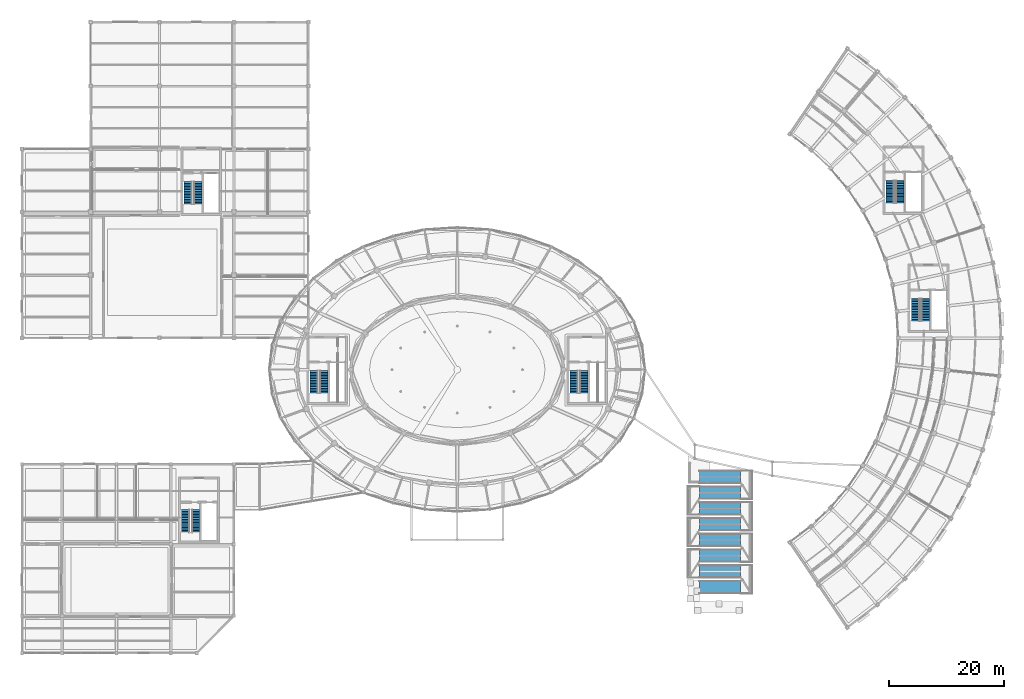
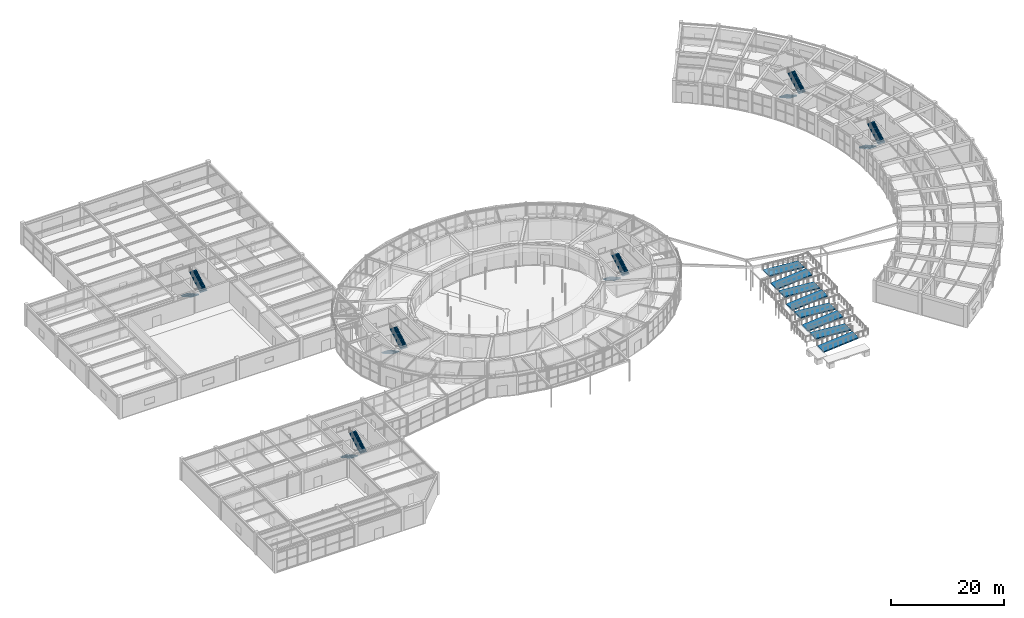
# One storey, part 96 of 108: 12 stair flights, 8 ramp flights, 7 elements without a shape of their own.
"""IFC4 building model written with IfcOpenShell, lengths in metres."""

from ifc_helpers import new_model, si_unit, direction, frame, origin, place, context, subcontext, project, spatial, polyline, outline, extrude, material, layer, layer_set, type_object, element, aggregate, save


model = new_model("IFC4")

# Units and contexts
model_context = context("Model", 3, precision=1e-05, world=origin(), true_north=direction((0.0, 1.0)))
body_context = subcontext(model_context, "Body", "Model", "MODEL_VIEW")
ifc_project = project(units=[si_unit("LENGTHUNIT", "METRE"), si_unit("AREAUNIT", "SQUARE_METRE"), si_unit("VOLUMEUNIT", "CUBIC_METRE"), si_unit("PLANEANGLEUNIT", "RADIAN"), si_unit("MASSUNIT", "GRAM", prefix="KILO")], contexts=[model_context])

# Site, building, storey
site_placement = place(None, origin())
site = spatial("IfcSite", under=ifc_project, at=site_placement, CompositionType="ELEMENT")
building_placement = place(site_placement, origin())
building = spatial("IfcBuilding", under=site, at=building_placement, Name="Tarnveldt Headland Concert Hall", CompositionType="ELEMENT")
storey_placement = place(building_placement, origin())
storey = spatial("IfcBuildingStorey", under=building, at=storey_placement, Name="L00", CompositionType="ELEMENT", Elevation=0.0)

# Stair, stair flights
ifc_material = material(Name="Concrete C40/50", Category="concrete")
stair_type_1 = type_object("IfcStairType", Name="ST-C5-480", PredefinedType="HALF_TURN_STAIR", material=ifc_material)
stair_1_placement = place(storey_placement, origin())
stair_1 = element("IfcStair", 1, at=stair_1_placement, inside=storey, type_object=stair_type_1, Name="Exit stair STR-C5-L00", PredefinedType="HALF_TURN_STAIR")
stair_flight_type_1 = type_object("IfcStairFlightType", Name="SF-134x160", PredefinedType="STRAIGHT", material=ifc_material)
stair_flight_1_placement = place(storey_placement, frame((36.06005859375, 30.0400390625, 0.0), z_axis=(0.0, 0.0, 1.0), x_axis=(0.0, -1.0, 0.0)))
stair_flight_1 = element("IfcStairFlight", 2, at=stair_flight_1_placement, type_object=stair_flight_type_1, Name="Stair flight STR-C5-L00-F1", NumberOfRisers=15, NumberOfTreads=14, PredefinedType="STRAIGHT", RiserHeight=0.16, TreadLength=0.28, context=body_context, shape_type="SweptSolid", body=[
    extrude(outline(polyline([(0.0, 0.0), (0.0, 0.159912109375), (0.280029296875, 0.159912109375), (0.280029296875, 0.320068359375), (0.56005859375, 0.320068359375), (0.56005859375, 0.47998046875), (0.840087890625, 0.47998046875), (0.840087890625, 0.639892578125), (1.1201171875, 0.639892578125), (1.1201171875, 0.800048828125), (1.39990234375, 0.800048828125), (1.39990234375, 0.9599609375), (1.679931640625, 0.9599609375), (1.679931640625, 1.1201171875), (1.9599609375, 1.1201171875), (1.9599609375, 1.280029296875), (2.239990234375, 1.280029296875), (2.239990234375, 1.43994140625), (2.52001953125, 1.43994140625), (2.52001953125, 1.60009765625), (2.800048828125, 1.60009765625), (2.800048828125, 1.760009765625), (3.080078125, 1.760009765625), (3.080078125, 1.919921875), (3.360107421875, 1.919921875), (3.360107421875, 2.080078125), (3.639892578125, 2.080078125), (3.639892578125, 2.239990234375), (3.919921875, 2.239990234375), (3.919921875, 2.39990234375), (3.919921875, 2.055908203125), (0.322265625, 0.0), (0.0, 0.0)])), frame((0.0, 0.669921875, 0.0), z_axis=(0.0, -1.0, 0.0), x_axis=(1.0, 0.0, 0.0)), (0.0, 0.0, 1.0), 1.340087890625),
])
stair_flight_2_placement = place(storey_placement, frame((37.860107421875, 26.1201171875, 2.39990234375), z_axis=(0.0, 0.0, 1.0), x_axis=(0.0, 1.0, 0.0)))
stair_flight_2 = element("IfcStairFlight", 3, at=stair_flight_2_placement, type_object=stair_flight_type_1, Name="Stair flight STR-C5-L00-F2", NumberOfRisers=15, NumberOfTreads=14, PredefinedType="STRAIGHT", RiserHeight=0.16, TreadLength=0.28, context=body_context, shape_type="SweptSolid", body=[
    extrude(outline(polyline([(0.0, 0.0), (0.0, 0.159912109375), (0.280029296875, 0.159912109375), (0.280029296875, 0.320068359375), (0.56005859375, 0.320068359375), (0.56005859375, 0.47998046875), (0.840087890625, 0.47998046875), (0.840087890625, 0.639892578125), (1.1201171875, 0.639892578125), (1.1201171875, 0.800048828125), (1.39990234375, 0.800048828125), (1.39990234375, 0.9599609375), (1.679931640625, 0.9599609375), (1.679931640625, 1.1201171875), (1.9599609375, 1.1201171875), (1.9599609375, 1.280029296875), (2.239990234375, 1.280029296875), (2.239990234375, 1.43994140625), (2.52001953125, 1.43994140625), (2.52001953125, 1.60009765625), (2.800048828125, 1.60009765625), (2.800048828125, 1.760009765625), (3.080078125, 1.760009765625), (3.080078125, 1.919921875), (3.360107421875, 1.919921875), (3.360107421875, 2.080078125), (3.639892578125, 2.080078125), (3.639892578125, 2.239990234375), (3.919921875, 2.239990234375), (3.919921875, 2.39990234375), (3.919921875, 2.055908203125), (0.322265625, 0.0), (0.0, 0.0)])), frame((0.0, 0.669921875, 0.0), z_axis=(0.0, -1.0, 0.0), x_axis=(1.0, 0.0, 0.0)), (0.0, 0.0, 1.0), 1.340087890625),
])
aggregate(stair_1, [stair_flight_1, stair_flight_2])

stair_type_2 = type_object("IfcStairType", Name="ST-CORE480", PredefinedType="HALF_TURN_STAIR", material=ifc_material)
stair_2_placement = place(storey_placement, origin())
stair_2 = element("IfcStair", 4, at=stair_2_placement, inside=storey, type_object=stair_type_2, Name="Exit stair STR-C1-L00", PredefinedType="HALF_TURN_STAIR")
stair_flight_type_2 = type_object("IfcStairFlightType", Name="SF-140x160", PredefinedType="STRAIGHT", material=ifc_material)
stair_flight_3_placement = place(storey_placement, frame((58.489990234375, 54.320068359375, 0.0), z_axis=(0.0, 0.0, 1.0), x_axis=(0.0, -1.0, 0.0)))
stair_flight_3 = element("IfcStairFlight", 5, at=stair_flight_3_placement, type_object=stair_flight_type_2, Name="Stair flight STR-C1-L00-F1", NumberOfRisers=15, NumberOfTreads=14, PredefinedType="STRAIGHT", RiserHeight=0.16, TreadLength=0.28, context=body_context, shape_type="SweptSolid", body=[
    extrude(outline(polyline([(0.0, 0.0), (0.0, 0.159912109375), (0.280029296875, 0.159912109375), (0.280029296875, 0.320068359375), (0.56005859375, 0.320068359375), (0.56005859375, 0.47998046875), (0.840087890625, 0.47998046875), (0.840087890625, 0.639892578125), (1.1201171875, 0.639892578125), (1.1201171875, 0.800048828125), (1.39990234375, 0.800048828125), (1.39990234375, 0.9599609375), (1.679931640625, 0.9599609375), (1.679931640625, 1.1201171875), (1.9599609375, 1.1201171875), (1.9599609375, 1.280029296875), (2.239990234375, 1.280029296875), (2.239990234375, 1.43994140625), (2.52001953125, 1.43994140625), (2.52001953125, 1.60009765625), (2.800048828125, 1.60009765625), (2.800048828125, 1.760009765625), (3.080078125, 1.760009765625), (3.080078125, 1.919921875), (3.360107421875, 1.919921875), (3.360107421875, 2.080078125), (3.639892578125, 2.080078125), (3.639892578125, 2.239990234375), (3.919921875, 2.239990234375), (3.919921875, 2.39990234375), (3.919921875, 2.055908203125), (0.322265625, 0.0), (0.0, 0.0)])), frame((0.0, 0.699951171875, 0.0), z_axis=(0.0, -1.0, 0.0), x_axis=(1.0, 0.0, 0.0)), (0.0, 0.0, 1.0), 1.39990234375),
])
stair_flight_4_placement = place(storey_placement, frame((60.22998046875, 50.39990234375, 2.39990234375), z_axis=(0.0, 0.0, 1.0), x_axis=(0.0, 1.0, 0.0)))
stair_flight_4 = element("IfcStairFlight", 6, at=stair_flight_4_placement, type_object=stair_flight_type_2, Name="Stair flight STR-C1-L00-F2", NumberOfRisers=15, NumberOfTreads=14, PredefinedType="STRAIGHT", RiserHeight=0.16, TreadLength=0.28, context=body_context, shape_type="SweptSolid", body=[
    extrude(outline(polyline([(0.0, 0.0), (0.0, 0.159912109375), (0.280029296875, 0.159912109375), (0.280029296875, 0.320068359375), (0.56005859375, 0.320068359375), (0.56005859375, 0.47998046875), (0.840087890625, 0.47998046875), (0.840087890625, 0.639892578125), (1.1201171875, 0.639892578125), (1.1201171875, 0.800048828125), (1.39990234375, 0.800048828125), (1.39990234375, 0.9599609375), (1.679931640625, 0.9599609375), (1.679931640625, 1.1201171875), (1.9599609375, 1.1201171875), (1.9599609375, 1.280029296875), (2.239990234375, 1.280029296875), (2.239990234375, 1.43994140625), (2.52001953125, 1.43994140625), (2.52001953125, 1.60009765625), (2.800048828125, 1.60009765625), (2.800048828125, 1.760009765625), (3.080078125, 1.760009765625), (3.080078125, 1.919921875), (3.360107421875, 1.919921875), (3.360107421875, 2.080078125), (3.639892578125, 2.080078125), (3.639892578125, 2.239990234375), (3.919921875, 2.239990234375), (3.919921875, 2.39990234375), (3.919921875, 2.055908203125), (0.322265625, 0.0), (0.0, 0.0)])), frame((0.0, 0.699951171875, 0.0), z_axis=(0.0, -1.0, 0.0), x_axis=(1.0, 0.0, 0.0)), (0.0, 0.0, 1.0), 1.39990234375),
])
aggregate(stair_2, [stair_flight_3, stair_flight_4])

stair_3_placement = place(storey_placement, origin())
stair_3 = element("IfcStair", 7, at=stair_3_placement, inside=storey, type_object=stair_type_2, Name="Exit stair STR-C2-L00", PredefinedType="HALF_TURN_STAIR")
stair_flight_5_placement = place(storey_placement, frame((103.889892578125, 54.320068359375, 0.0), z_axis=(0.0, 0.0, 1.0), x_axis=(0.0, -1.0, 0.0)))
stair_flight_5 = element("IfcStairFlight", 8, at=stair_flight_5_placement, type_object=stair_flight_type_2, Name="Stair flight STR-C2-L00-F1", NumberOfRisers=15, NumberOfTreads=14, PredefinedType="STRAIGHT", RiserHeight=0.16, TreadLength=0.28, context=body_context, shape_type="SweptSolid", body=[
    extrude(outline(polyline([(0.0, 0.0), (0.0, 0.159912109375), (0.280029296875, 0.159912109375), (0.280029296875, 0.320068359375), (0.56005859375, 0.320068359375), (0.56005859375, 0.47998046875), (0.840087890625, 0.47998046875), (0.840087890625, 0.639892578125), (1.1201171875, 0.639892578125), (1.1201171875, 0.800048828125), (1.39990234375, 0.800048828125), (1.39990234375, 0.9599609375), (1.679931640625, 0.9599609375), (1.679931640625, 1.1201171875), (1.9599609375, 1.1201171875), (1.9599609375, 1.280029296875), (2.239990234375, 1.280029296875), (2.239990234375, 1.43994140625), (2.52001953125, 1.43994140625), (2.52001953125, 1.60009765625), (2.800048828125, 1.60009765625), (2.800048828125, 1.760009765625), (3.080078125, 1.760009765625), (3.080078125, 1.919921875), (3.360107421875, 1.919921875), (3.360107421875, 2.080078125), (3.639892578125, 2.080078125), (3.639892578125, 2.239990234375), (3.919921875, 2.239990234375), (3.919921875, 2.39990234375), (3.919921875, 2.055908203125), (0.322265625, 0.0), (0.0, 0.0)])), frame((0.0, 0.699951171875, 0.0), z_axis=(0.0, -1.0, 0.0), x_axis=(1.0, 0.0, 0.0)), (0.0, 0.0, 1.0), 1.39990234375),
])
stair_flight_6_placement = place(storey_placement, frame((105.6298828125, 50.39990234375, 2.39990234375), z_axis=(0.0, 0.0, 1.0), x_axis=(0.0, 1.0, 0.0)))
stair_flight_6 = element("IfcStairFlight", 9, at=stair_flight_6_placement, type_object=stair_flight_type_2, Name="Stair flight STR-C2-L00-F2", NumberOfRisers=15, NumberOfTreads=14, PredefinedType="STRAIGHT", RiserHeight=0.16, TreadLength=0.28, context=body_context, shape_type="SweptSolid", body=[
    extrude(outline(polyline([(0.0, 0.0), (0.0, 0.159912109375), (0.280029296875, 0.159912109375), (0.280029296875, 0.320068359375), (0.56005859375, 0.320068359375), (0.56005859375, 0.47998046875), (0.840087890625, 0.47998046875), (0.840087890625, 0.639892578125), (1.1201171875, 0.639892578125), (1.1201171875, 0.800048828125), (1.39990234375, 0.800048828125), (1.39990234375, 0.9599609375), (1.679931640625, 0.9599609375), (1.679931640625, 1.1201171875), (1.9599609375, 1.1201171875), (1.9599609375, 1.280029296875), (2.239990234375, 1.280029296875), (2.239990234375, 1.43994140625), (2.52001953125, 1.43994140625), (2.52001953125, 1.60009765625), (2.800048828125, 1.60009765625), (2.800048828125, 1.760009765625), (3.080078125, 1.760009765625), (3.080078125, 1.919921875), (3.360107421875, 1.919921875), (3.360107421875, 2.080078125), (3.639892578125, 2.080078125), (3.639892578125, 2.239990234375), (3.919921875, 2.239990234375), (3.919921875, 2.39990234375), (3.919921875, 2.055908203125), (0.322265625, 0.0), (0.0, 0.0)])), frame((0.0, 0.699951171875, 0.0), z_axis=(0.0, -1.0, 0.0), x_axis=(1.0, 0.0, 0.0)), (0.0, 0.0, 1.0), 1.39990234375),
])
aggregate(stair_3, [stair_flight_5, stair_flight_6])

stair_4_placement = place(storey_placement, origin())
stair_4 = element("IfcStair", 10, at=stair_4_placement, inside=storey, type_object=stair_type_2, Name="Exit stair STR-C3-L00", PredefinedType="HALF_TURN_STAIR")
stair_flight_7_placement = place(storey_placement, frame((159.090087890625, 87.52001953125, 0.0), z_axis=(0.0, 0.0, 1.0), x_axis=(0.0, -1.0, 0.0)))
stair_flight_7 = element("IfcStairFlight", 11, at=stair_flight_7_placement, type_object=stair_flight_type_2, Name="Stair flight STR-C3-L00-F1", NumberOfRisers=15, NumberOfTreads=14, PredefinedType="STRAIGHT", RiserHeight=0.16, TreadLength=0.28, context=body_context, shape_type="SweptSolid", body=[
    extrude(outline(polyline([(0.0, 0.0), (0.0, 0.159912109375), (0.280029296875, 0.159912109375), (0.280029296875, 0.320068359375), (0.56005859375, 0.320068359375), (0.56005859375, 0.47998046875), (0.840087890625, 0.47998046875), (0.840087890625, 0.639892578125), (1.1201171875, 0.639892578125), (1.1201171875, 0.800048828125), (1.39990234375, 0.800048828125), (1.39990234375, 0.9599609375), (1.679931640625, 0.9599609375), (1.679931640625, 1.1201171875), (1.9599609375, 1.1201171875), (1.9599609375, 1.280029296875), (2.239990234375, 1.280029296875), (2.239990234375, 1.43994140625), (2.52001953125, 1.43994140625), (2.52001953125, 1.60009765625), (2.800048828125, 1.60009765625), (2.800048828125, 1.760009765625), (3.080078125, 1.760009765625), (3.080078125, 1.919921875), (3.360107421875, 1.919921875), (3.360107421875, 2.080078125), (3.639892578125, 2.080078125), (3.639892578125, 2.239990234375), (3.919921875, 2.239990234375), (3.919921875, 2.39990234375), (3.919921875, 2.055908203125), (0.322265625, 0.0), (0.0, 0.0)])), frame((0.0, 0.699951171875, 0.0), z_axis=(0.0, -1.0, 0.0), x_axis=(1.0, 0.0, 0.0)), (0.0, 0.0, 1.0), 1.39990234375),
])
stair_flight_8_placement = place(storey_placement, frame((160.830078125, 83.60009765625, 2.39990234375), z_axis=(0.0, 0.0, 1.0), x_axis=(0.0, 1.0, 0.0)))
stair_flight_8 = element("IfcStairFlight", 12, at=stair_flight_8_placement, type_object=stair_flight_type_2, Name="Stair flight STR-C3-L00-F2", NumberOfRisers=15, NumberOfTreads=14, PredefinedType="STRAIGHT", RiserHeight=0.16, TreadLength=0.28, context=body_context, shape_type="SweptSolid", body=[
    extrude(outline(polyline([(0.0, 0.0), (0.0, 0.159912109375), (0.280029296875, 0.159912109375), (0.280029296875, 0.320068359375), (0.56005859375, 0.320068359375), (0.56005859375, 0.47998046875), (0.840087890625, 0.47998046875), (0.840087890625, 0.639892578125), (1.1201171875, 0.639892578125), (1.1201171875, 0.800048828125), (1.39990234375, 0.800048828125), (1.39990234375, 0.9599609375), (1.679931640625, 0.9599609375), (1.679931640625, 1.1201171875), (1.9599609375, 1.1201171875), (1.9599609375, 1.280029296875), (2.239990234375, 1.280029296875), (2.239990234375, 1.43994140625), (2.52001953125, 1.43994140625), (2.52001953125, 1.60009765625), (2.800048828125, 1.60009765625), (2.800048828125, 1.760009765625), (3.080078125, 1.760009765625), (3.080078125, 1.919921875), (3.360107421875, 1.919921875), (3.360107421875, 2.080078125), (3.639892578125, 2.080078125), (3.639892578125, 2.239990234375), (3.919921875, 2.239990234375), (3.919921875, 2.39990234375), (3.919921875, 2.055908203125), (0.322265625, 0.0), (0.0, 0.0)])), frame((0.0, 0.699951171875, 0.0), z_axis=(0.0, -1.0, 0.0), x_axis=(1.0, 0.0, 0.0)), (0.0, 0.0, 1.0), 1.39990234375),
])
aggregate(stair_4, [stair_flight_7, stair_flight_8])

stair_5_placement = place(storey_placement, origin())
stair_5 = element("IfcStair", 13, at=stair_5_placement, inside=storey, type_object=stair_type_2, Name="Exit stair STR-C4-L00", PredefinedType="HALF_TURN_STAIR")
stair_flight_9_placement = place(storey_placement, frame((163.489990234375, 66.919921875, 0.0), z_axis=(0.0, 0.0, 1.0), x_axis=(0.0, -1.0, 0.0)))
stair_flight_9 = element("IfcStairFlight", 14, at=stair_flight_9_placement, type_object=stair_flight_type_2, Name="Stair flight STR-C4-L00-F1", NumberOfRisers=15, NumberOfTreads=14, PredefinedType="STRAIGHT", RiserHeight=0.16, TreadLength=0.28, context=body_context, shape_type="SweptSolid", body=[
    extrude(outline(polyline([(0.0, 0.0), (0.0, 0.159912109375), (0.280029296875, 0.159912109375), (0.280029296875, 0.320068359375), (0.56005859375, 0.320068359375), (0.56005859375, 0.47998046875), (0.840087890625, 0.47998046875), (0.840087890625, 0.639892578125), (1.1201171875, 0.639892578125), (1.1201171875, 0.800048828125), (1.39990234375, 0.800048828125), (1.39990234375, 0.9599609375), (1.679931640625, 0.9599609375), (1.679931640625, 1.1201171875), (1.9599609375, 1.1201171875), (1.9599609375, 1.280029296875), (2.239990234375, 1.280029296875), (2.239990234375, 1.43994140625), (2.52001953125, 1.43994140625), (2.52001953125, 1.60009765625), (2.800048828125, 1.60009765625), (2.800048828125, 1.760009765625), (3.080078125, 1.760009765625), (3.080078125, 1.919921875), (3.360107421875, 1.919921875), (3.360107421875, 2.080078125), (3.639892578125, 2.080078125), (3.639892578125, 2.239990234375), (3.919921875, 2.239990234375), (3.919921875, 2.39990234375), (3.919921875, 2.055908203125), (0.322265625, 0.0), (0.0, 0.0)])), frame((0.0, 0.699951171875, 0.0), z_axis=(0.0, -1.0, 0.0), x_axis=(1.0, 0.0, 0.0)), (0.0, 0.0, 1.0), 1.39990234375),
])
stair_flight_10_placement = place(storey_placement, frame((165.22998046875, 63.0, 2.39990234375), z_axis=(0.0, 0.0, 1.0), x_axis=(0.0, 1.0, 0.0)))
stair_flight_10 = element("IfcStairFlight", 15, at=stair_flight_10_placement, type_object=stair_flight_type_2, Name="Stair flight STR-C4-L00-F2", NumberOfRisers=15, NumberOfTreads=14, PredefinedType="STRAIGHT", RiserHeight=0.16, TreadLength=0.28, context=body_context, shape_type="SweptSolid", body=[
    extrude(outline(polyline([(0.0, 0.0), (0.0, 0.159912109375), (0.280029296875, 0.159912109375), (0.280029296875, 0.320068359375), (0.56005859375, 0.320068359375), (0.56005859375, 0.47998046875), (0.840087890625, 0.47998046875), (0.840087890625, 0.639892578125), (1.1201171875, 0.639892578125), (1.1201171875, 0.800048828125), (1.39990234375, 0.800048828125), (1.39990234375, 0.9599609375), (1.679931640625, 0.9599609375), (1.679931640625, 1.1201171875), (1.9599609375, 1.1201171875), (1.9599609375, 1.280029296875), (2.239990234375, 1.280029296875), (2.239990234375, 1.43994140625), (2.52001953125, 1.43994140625), (2.52001953125, 1.60009765625), (2.800048828125, 1.60009765625), (2.800048828125, 1.760009765625), (3.080078125, 1.760009765625), (3.080078125, 1.919921875), (3.360107421875, 1.919921875), (3.360107421875, 2.080078125), (3.639892578125, 2.080078125), (3.639892578125, 2.239990234375), (3.919921875, 2.239990234375), (3.919921875, 2.39990234375), (3.919921875, 2.055908203125), (0.322265625, 0.0), (0.0, 0.0)])), frame((0.0, 0.699951171875, 0.0), z_axis=(0.0, -1.0, 0.0), x_axis=(1.0, 0.0, 0.0)), (0.0, 0.0, 1.0), 1.39990234375),
])
aggregate(stair_5, [stair_flight_9, stair_flight_10])

stair_6_placement = place(storey_placement, origin())
stair_6 = element("IfcStair", 16, at=stair_6_placement, inside=storey, type_object=stair_type_2, Name="Exit stair STR-C6-L00", PredefinedType="HALF_TURN_STAIR")
stair_flight_11_placement = place(storey_placement, frame((36.489990234375, 87.320068359375, 0.0), z_axis=(0.0, 0.0, 1.0), x_axis=(0.0, -1.0, 0.0)))
stair_flight_11 = element("IfcStairFlight", 17, at=stair_flight_11_placement, type_object=stair_flight_type_2, Name="Stair flight STR-C6-L00-F1", NumberOfRisers=15, NumberOfTreads=14, PredefinedType="STRAIGHT", RiserHeight=0.16, TreadLength=0.28, context=body_context, shape_type="SweptSolid", body=[
    extrude(outline(polyline([(0.0, 0.0), (0.0, 0.159912109375), (0.280029296875, 0.159912109375), (0.280029296875, 0.320068359375), (0.56005859375, 0.320068359375), (0.56005859375, 0.47998046875), (0.840087890625, 0.47998046875), (0.840087890625, 0.639892578125), (1.1201171875, 0.639892578125), (1.1201171875, 0.800048828125), (1.39990234375, 0.800048828125), (1.39990234375, 0.9599609375), (1.679931640625, 0.9599609375), (1.679931640625, 1.1201171875), (1.9599609375, 1.1201171875), (1.9599609375, 1.280029296875), (2.239990234375, 1.280029296875), (2.239990234375, 1.43994140625), (2.52001953125, 1.43994140625), (2.52001953125, 1.60009765625), (2.800048828125, 1.60009765625), (2.800048828125, 1.760009765625), (3.080078125, 1.760009765625), (3.080078125, 1.919921875), (3.360107421875, 1.919921875), (3.360107421875, 2.080078125), (3.639892578125, 2.080078125), (3.639892578125, 2.239990234375), (3.919921875, 2.239990234375), (3.919921875, 2.39990234375), (3.919921875, 2.055908203125), (0.322265625, 0.0), (0.0, 0.0)])), frame((0.0, 0.699951171875, 0.0), z_axis=(0.0, -1.0, 0.0), x_axis=(1.0, 0.0, 0.0)), (0.0, 0.0, 1.0), 1.39990234375),
])
stair_flight_12_placement = place(storey_placement, frame((38.22998046875, 83.39990234375, 2.39990234375), z_axis=(0.0, 0.0, 1.0), x_axis=(0.0, 1.0, 0.0)))
stair_flight_12 = element("IfcStairFlight", 18, at=stair_flight_12_placement, type_object=stair_flight_type_2, Name="Stair flight STR-C6-L00-F2", NumberOfRisers=15, NumberOfTreads=14, PredefinedType="STRAIGHT", RiserHeight=0.16, TreadLength=0.28, context=body_context, shape_type="SweptSolid", body=[
    extrude(outline(polyline([(0.0, 0.0), (0.0, 0.159912109375), (0.280029296875, 0.159912109375), (0.280029296875, 0.320068359375), (0.56005859375, 0.320068359375), (0.56005859375, 0.47998046875), (0.840087890625, 0.47998046875), (0.840087890625, 0.639892578125), (1.1201171875, 0.639892578125), (1.1201171875, 0.800048828125), (1.39990234375, 0.800048828125), (1.39990234375, 0.9599609375), (1.679931640625, 0.9599609375), (1.679931640625, 1.1201171875), (1.9599609375, 1.1201171875), (1.9599609375, 1.280029296875), (2.239990234375, 1.280029296875), (2.239990234375, 1.43994140625), (2.52001953125, 1.43994140625), (2.52001953125, 1.60009765625), (2.800048828125, 1.60009765625), (2.800048828125, 1.760009765625), (3.080078125, 1.760009765625), (3.080078125, 1.919921875), (3.360107421875, 1.919921875), (3.360107421875, 2.080078125), (3.639892578125, 2.080078125), (3.639892578125, 2.239990234375), (3.919921875, 2.239990234375), (3.919921875, 2.39990234375), (3.919921875, 2.055908203125), (0.322265625, 0.0), (0.0, 0.0)])), frame((0.0, 0.699951171875, 0.0), z_axis=(0.0, -1.0, 0.0), x_axis=(1.0, 0.0, 0.0)), (0.0, 0.0, 1.0), 1.39990234375),
])
aggregate(stair_6, [stair_flight_11, stair_flight_12])

# Ramp, ramp flights
ramp_type = type_object("IfcRampType", Name="RM-BRG240", PredefinedType="HALF_TURN_RAMP", material=ifc_material)
ramp_placement = place(storey_placement, origin())
ramp = element("IfcRamp", 19, at=ramp_placement, inside=storey, type_object=ramp_type, Name="Forecourt 1:12 accessible promenade ramp", PredefinedType="HALF_TURN_RAMP")
ifc_layer = layer(ifc_material, 0.25, Name="Concrete C40/50", Category="concrete")
ifc_layer_set = layer_set([ifc_layer], Name="Concrete C40/50")
ramp_flight_type = type_object("IfcRampFlightType", Name="RF-FLT240", PredefinedType="STRAIGHT", material=ifc_layer_set)
ramp_flight_1_placement = place(storey_placement, frame((125.800048828125, 16.5, 0.0), z_axis=(0.0, 0.0, 1.0), x_axis=(1.0, 0.0, 0.0)))
ramp_flight_1 = element("IfcRampFlight", 20, at=ramp_flight_1_placement, type_object=ramp_flight_type, Name="Forecourt accessible 1:12 ramp flight 1", PredefinedType="STRAIGHT", context=body_context, shape_type="SweptSolid", body=[
    extrude(outline(polyline([(0.0, 0.0), (7.199951171875, 0.60009765625), (7.199951171875, 0.35009765625), (0.0, -0.25), (0.0, 0.0)])), frame((0.0, 1.10009765625, 0.0), z_axis=(0.0, -1.0, 0.0), x_axis=(1.0, 0.0, 0.0)), (0.0, 0.0, 1.0), 2.199951171875),
])
ramp_flight_2_placement = place(storey_placement, frame((133.0, 19.25, 0.60009765625), z_axis=(0.0, 0.0, 1.0), x_axis=(-1.0, 0.0, 0.0)))
ramp_flight_2 = element("IfcRampFlight", 21, at=ramp_flight_2_placement, type_object=ramp_flight_type, Name="Forecourt accessible 1:12 ramp flight 2", PredefinedType="STRAIGHT", context=body_context, shape_type="SweptSolid", body=[
    extrude(outline(polyline([(0.0, 0.0), (7.199951171875, 0.599853515625), (7.199951171875, 0.349853515625), (0.0, -0.25), (0.0, 0.0)])), frame((0.0, 1.10009765625, 0.0), z_axis=(0.0, -1.0, 0.0), x_axis=(1.0, 0.0, 0.0)), (0.0, 0.0, 1.0), 2.199951171875),
])
ramp_flight_3_placement = place(storey_placement, frame((125.800048828125, 22.0, 1.199951171875), z_axis=(0.0, 0.0, 1.0), x_axis=(1.0, 0.0, 0.0)))
ramp_flight_3 = element("IfcRampFlight", 22, at=ramp_flight_3_placement, type_object=ramp_flight_type, Name="Forecourt accessible 1:12 ramp flight 3", PredefinedType="STRAIGHT", context=body_context, shape_type="SweptSolid", body=[
    extrude(outline(polyline([(0.0, 0.0), (7.199951171875, 0.60009765625), (7.199951171875, 0.35009765625), (0.0, -0.25), (0.0, 0.0)])), frame((0.0, 1.10009765625, 0.0), z_axis=(0.0, -1.0, 0.0), x_axis=(1.0, 0.0, 0.0)), (0.0, 0.0, 1.0), 2.199951171875),
])
ramp_flight_4_placement = place(storey_placement, frame((133.0, 24.75, 1.800048828125), z_axis=(0.0, 0.0, 1.0), x_axis=(-1.0, 0.0, 0.0)))
ramp_flight_4 = element("IfcRampFlight", 23, at=ramp_flight_4_placement, type_object=ramp_flight_type, Name="Forecourt accessible 1:12 ramp flight 4", PredefinedType="STRAIGHT", context=body_context, shape_type="SweptSolid", body=[
    extrude(outline(polyline([(0.0, 0.0), (7.199951171875, 0.599853515625), (7.199951171875, 0.349853515625), (0.0, -0.25), (0.0, 0.0)])), frame((0.0, 1.10009765625, 0.0), z_axis=(0.0, -1.0, 0.0), x_axis=(1.0, 0.0, 0.0)), (0.0, 0.0, 1.0), 2.199951171875),
])
ramp_flight_5_placement = place(storey_placement, frame((125.800048828125, 27.5, 2.39990234375), z_axis=(0.0, 0.0, 1.0), x_axis=(1.0, 0.0, 0.0)))
ramp_flight_5 = element("IfcRampFlight", 24, at=ramp_flight_5_placement, type_object=ramp_flight_type, Name="Forecourt accessible 1:12 ramp flight 5", PredefinedType="STRAIGHT", context=body_context, shape_type="SweptSolid", body=[
    extrude(outline(polyline([(0.0, 0.0), (7.199951171875, 0.60009765625), (7.199951171875, 0.35009765625), (0.0, -0.25), (0.0, 0.0)])), frame((0.0, 1.10009765625, 0.0), z_axis=(0.0, -1.0, 0.0), x_axis=(1.0, 0.0, 0.0)), (0.0, 0.0, 1.0), 2.199951171875),
])
ramp_flight_6_placement = place(storey_placement, frame((133.0, 30.25, 3.0), z_axis=(0.0, 0.0, 1.0), x_axis=(-1.0, 0.0, 0.0)))
ramp_flight_6 = element("IfcRampFlight", 25, at=ramp_flight_6_placement, type_object=ramp_flight_type, Name="Forecourt accessible 1:12 ramp flight 6", PredefinedType="STRAIGHT", context=body_context, shape_type="SweptSolid", body=[
    extrude(outline(polyline([(0.0, 0.0), (7.199951171875, 0.60009765625), (7.199951171875, 0.35009765625), (0.0, -0.25), (0.0, 0.0)])), frame((0.0, 1.10009765625, 0.0), z_axis=(0.0, -1.0, 0.0), x_axis=(1.0, 0.0, 0.0)), (0.0, 0.0, 1.0), 2.199951171875),
])
ramp_flight_7_placement = place(storey_placement, frame((125.800048828125, 33.0, 3.60009765625), z_axis=(0.0, 0.0, 1.0), x_axis=(1.0, 0.0, 0.0)))
ramp_flight_7 = element("IfcRampFlight", 26, at=ramp_flight_7_placement, type_object=ramp_flight_type, Name="Forecourt accessible 1:12 ramp flight 7", PredefinedType="STRAIGHT", context=body_context, shape_type="SweptSolid", body=[
    extrude(outline(polyline([(0.0, 0.0), (7.199951171875, 0.599853515625), (7.199951171875, 0.349853515625), (0.0, -0.25), (0.0, 0.0)])), frame((0.0, 1.10009765625, 0.0), z_axis=(0.0, -1.0, 0.0), x_axis=(1.0, 0.0, 0.0)), (0.0, 0.0, 1.0), 2.199951171875),
])
ramp_flight_8_placement = place(storey_placement, frame((133.0, 35.75, 4.199951171875), z_axis=(0.0, 0.0, 1.0), x_axis=(-1.0, 0.0, 0.0)))
ramp_flight_8 = element("IfcRampFlight", 27, at=ramp_flight_8_placement, type_object=ramp_flight_type, Name="Forecourt accessible 1:12 ramp flight 8", PredefinedType="STRAIGHT", context=body_context, shape_type="SweptSolid", body=[
    extrude(outline(polyline([(0.0, 0.0), (7.199951171875, 0.60009765625), (7.199951171875, 0.35009765625), (0.0, -0.25), (0.0, 0.0)])), frame((0.0, 1.10009765625, 0.0), z_axis=(0.0, -1.0, 0.0), x_axis=(1.0, 0.0, 0.0)), (0.0, 0.0, 1.0), 2.199951171875),
])
aggregate(ramp, [ramp_flight_1, ramp_flight_2, ramp_flight_3, ramp_flight_4, ramp_flight_5, ramp_flight_6, ramp_flight_7, ramp_flight_8])

save(model, "model.ifc")
